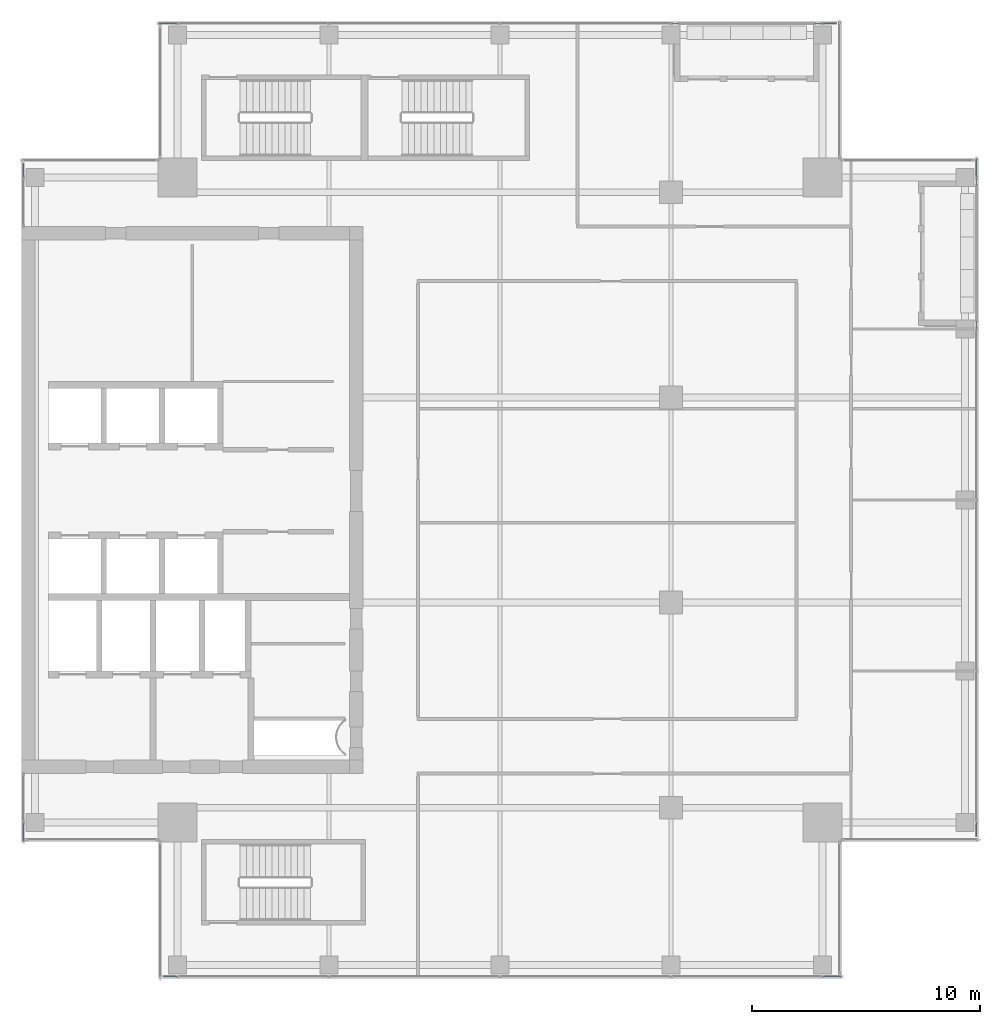
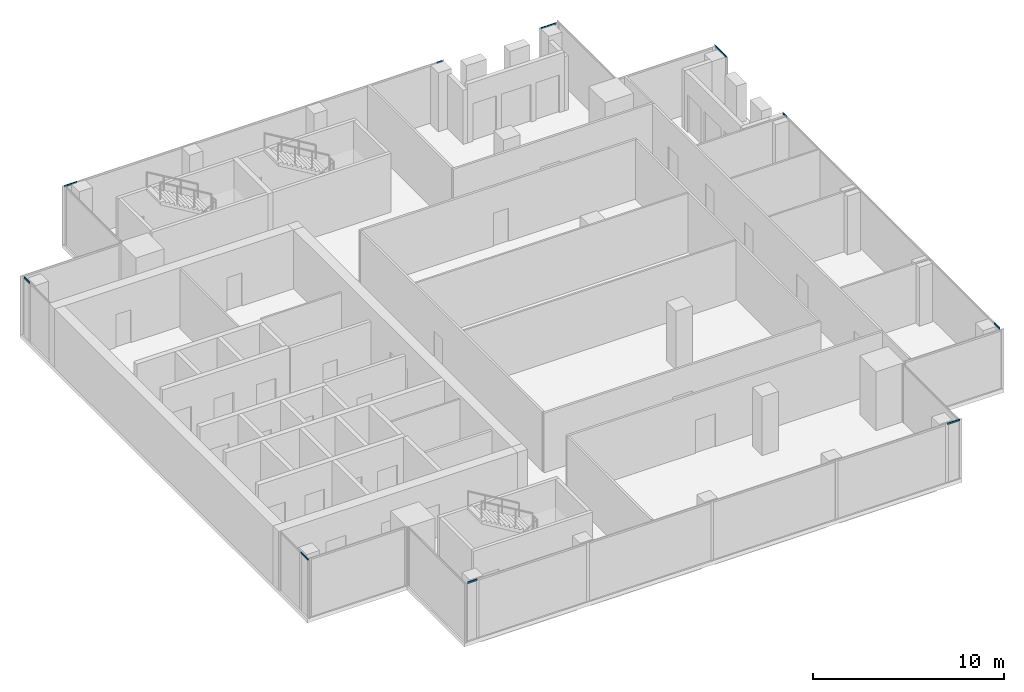
# One storey, part 19 of 29: 12 members, 7 elements without a shape of their own.
"""IFC4 building model written with IfcOpenShell, lengths in metres."""

from ifc_helpers import new_model, si_unit, direction, frame, origin, origin_2d, place, context, subcontext, project, spatial, hollow_rectangle, extrude, source, transform, mapped, material, material_profile, profile_set, type_object, element, aggregate, save


model = new_model("IFC4")

# Units and contexts
model_context = context("Model", 3, precision=1e-05, world=origin(), true_north=direction((0.0, 1.0)))
body_context = subcontext(model_context, "Body", "Model", "MODEL_VIEW")
ifc_project = project(units=[si_unit("LENGTHUNIT", "METRE"), si_unit("AREAUNIT", "SQUARE_METRE"), si_unit("VOLUMEUNIT", "CUBIC_METRE"), si_unit("PLANEANGLEUNIT", "RADIAN"), si_unit("MASSUNIT", "GRAM", prefix="KILO")], contexts=[model_context])

# Site, building, storey
site_placement = place(None, origin())
site = spatial("IfcSite", under=ifc_project, at=site_placement, CompositionType="ELEMENT")
building_placement = place(site_placement, origin())
building = spatial("IfcBuilding", under=site, at=building_placement, Name="Khomas Fold Tower", CompositionType="ELEMENT")
storey_placement = place(building_placement, frame((0.0, 0.0, 314.199951171875)))
storey = spatial("IfcBuildingStorey", under=building, at=storey_placement, Name="L71", CompositionType="ELEMENT", Elevation=314.199951171875)

# Curtain wall, member
ifc_material_1 = material(Name="Aluminium framed double glazing", Category="aluminium")
curtain_wall_type = type_object("IfcCurtainWallType", Name="SK-Unitised clear-glass wall, upper floors CW3", PredefinedType="NOTDEFINED", material=ifc_material_1)
curtain_wall_1_placement = place(storey_placement, origin())
curtain_wall_1 = element("IfcCurtainWall", 1, at=curtain_wall_1_placement, inside=storey, type_object=curtain_wall_type, Name="CW3 run L71 00-0", PredefinedType="NOTDEFINED")
ifc_material_2 = material(Name="Aluminium", Category="aluminium")
ifc_material_profile = material_profile(ifc_material_2, hollow_rectangle(XDim=0.050048828125, YDim=0.10009765625, WallThickness=0.00390625, at=origin_2d()), Name="SK-Unitised clear-glass wall, upper floors transom CW3-T")
ifc_profile_set = profile_set([ifc_material_profile], Name="Aluminium")
member_type = type_object("IfcMemberType", Name="SK-Unitised clear-glass wall, upper floors transom CW3-T", PredefinedType="USERDEFINED", material=ifc_profile_set)
shared_shape_1 = source(origin(), body_context, "Body", "SweptSolid", [
    extrude(hollow_rectangle(XDim=0.050048828125, YDim=0.10009765625, WallThickness=0.00390625, at=origin_2d()), origin(), (0.0, 0.0, 1.0), 0.574951171875),
])
member_1_placement = place(storey_placement, frame((12.25, 6.10009765625, 3.699951171875), z_axis=(1.0, 0.0, 0.0), x_axis=(0.0, 1.0, 0.0)))
member_1 = element("IfcMember", 2, at=member_1_placement, type_object=member_type, Name="CW3 transom 1", ObjectType="TRANSOM", PredefinedType="USERDEFINED", context=body_context, shape_type="MappedRepresentation", body=[
    mapped(shared_shape_1, transform((0.0, 0.0, 0.0))),
])

curtain_wall_2_placement = place(storey_placement, origin())
curtain_wall_2 = element("IfcCurtainWall", 3, at=curtain_wall_2_placement, inside=storey, type_object=curtain_wall_type, Name="CW3 run L71 03-0", PredefinedType="NOTDEFINED")
member_2_placement = place(storey_placement, frame((47.89990234375, 12.25, 3.699951171875), z_axis=(0.0, 1.0, 0.0), x_axis=(-1.0, 0.0, 0.0)))
member_2 = element("IfcMember", 4, at=member_2_placement, type_object=member_type, Name="CW3 transom 1", ObjectType="TRANSOM", PredefinedType="USERDEFINED", context=body_context, shape_type="MappedRepresentation", body=[
    mapped(shared_shape_1, transform((0.0, 0.0, 0.0))),
])

curtain_wall_3_placement = place(storey_placement, origin())
curtain_wall_3 = element("IfcCurtainWall", 5, at=curtain_wall_3_placement, inside=storey, type_object=curtain_wall_type, Name="CW3 run L71 06-0", PredefinedType="NOTDEFINED")
member_3_placement = place(storey_placement, frame((41.75, 47.89990234375, 3.699951171875), z_axis=(-1.0, 0.0, 0.0), x_axis=(0.0, -1.0, 0.0)))
member_3 = element("IfcMember", 6, at=member_3_placement, type_object=member_type, Name="CW3 transom 1", ObjectType="TRANSOM", PredefinedType="USERDEFINED", context=body_context, shape_type="MappedRepresentation", body=[
    mapped(shared_shape_1, transform((0.0, 0.0, 0.0))),
])

curtain_wall_4_placement = place(storey_placement, origin())
curtain_wall_4 = element("IfcCurtainWall", 7, at=curtain_wall_4_placement, inside=storey, type_object=curtain_wall_type, Name="CW3 run L71 09-0", PredefinedType="NOTDEFINED")
member_4_placement = place(storey_placement, frame((6.10009765625, 41.75, 3.699951171875), z_axis=(0.0, -1.0, 0.0), x_axis=(1.0, 0.0, 0.0)))
member_4 = element("IfcMember", 8, at=member_4_placement, type_object=member_type, Name="CW3 transom 1", ObjectType="TRANSOM", PredefinedType="USERDEFINED", context=body_context, shape_type="MappedRepresentation", body=[
    mapped(shared_shape_1, transform((0.0, 0.0, 0.0))),
])
aggregate(curtain_wall_4, [member_4])

# Member
shared_shape_2 = source(origin(), body_context, "Body", "SweptSolid", [
    extrude(hollow_rectangle(XDim=0.050048828125, YDim=0.10009765625, WallThickness=0.00390625, at=origin_2d()), origin(), (0.0, 0.0, 1.0), 0.77490234375),
])
member_5_placement = place(storey_placement, frame((41.175048828125, 6.10009765625, 3.699951171875), z_axis=(1.0, 0.0, 0.0), x_axis=(0.0, 1.0, 0.0)))
member_5 = element("IfcMember", 9, at=member_5_placement, type_object=member_type, Name="CW3 transom 6", ObjectType="TRANSOM", PredefinedType="USERDEFINED", context=body_context, shape_type="MappedRepresentation", body=[
    mapped(shared_shape_2, transform((0.0, 0.0, 0.0))),
])

aggregate(curtain_wall_1, [member_1, member_5])

# Curtain wall, member
curtain_wall_5_placement = place(storey_placement, origin())
curtain_wall_5 = element("IfcCurtainWall", 10, at=curtain_wall_5_placement, inside=storey, type_object=curtain_wall_type, Name="CW3 run L71 03-1", PredefinedType="NOTDEFINED")
member_6_placement = place(storey_placement, frame((47.89990234375, 41.175048828125, 3.699951171875), z_axis=(0.0, 1.0, 0.0), x_axis=(-1.0, 0.0, 0.0)))
member_6 = element("IfcMember", 11, at=member_6_placement, type_object=member_type, Name="CW3 transom 2", ObjectType="TRANSOM", PredefinedType="USERDEFINED", context=body_context, shape_type="MappedRepresentation", body=[
    mapped(shared_shape_2, transform((0.0, 0.0, 0.0))),
])

curtain_wall_6_placement = place(storey_placement, origin())
curtain_wall_6 = element("IfcCurtainWall", 12, at=curtain_wall_6_placement, inside=storey, type_object=curtain_wall_type, Name="CW3 run L71 06-1", PredefinedType="NOTDEFINED")
member_7_placement = place(storey_placement, frame((12.824951171875, 47.89990234375, 3.699951171875), z_axis=(-1.0, 0.0, 0.0), x_axis=(0.0, -1.0, 0.0)))
member_7 = element("IfcMember", 13, at=member_7_placement, type_object=member_type, Name="CW3 transom 5", ObjectType="TRANSOM", PredefinedType="USERDEFINED", context=body_context, shape_type="MappedRepresentation", body=[
    mapped(shared_shape_2, transform((0.0, 0.0, 0.0))),
])

curtain_wall_7_placement = place(storey_placement, origin())
curtain_wall_7 = element("IfcCurtainWall", 14, at=curtain_wall_7_placement, inside=storey, type_object=curtain_wall_type, Name="CW3 run L71 09-1", PredefinedType="NOTDEFINED")
member_8_placement = place(storey_placement, frame((6.10009765625, 12.824951171875, 3.699951171875), z_axis=(0.0, -1.0, 0.0), x_axis=(1.0, 0.0, 0.0)))
member_8 = element("IfcMember", 15, at=member_8_placement, type_object=member_type, Name="CW3 transom 2", ObjectType="TRANSOM", PredefinedType="USERDEFINED", context=body_context, shape_type="MappedRepresentation", body=[
    mapped(shared_shape_2, transform((0.0, 0.0, 0.0))),
])
aggregate(curtain_wall_7, [member_8])

# Member
shared_shape_3 = source(origin(), body_context, "Body", "SweptSolid", [
    extrude(hollow_rectangle(XDim=0.050048828125, YDim=0.10009765625, WallThickness=0.00390625, at=origin_2d()), origin(), (0.0, 0.0, 1.0), 0.3251953125),
])
member_9_placement = place(storey_placement, frame((47.89990234375, 34.52490234375, 3.699951171875), z_axis=(0.0, 1.0, 0.0), x_axis=(-1.0, 0.0, 0.0)))
member_9 = element("IfcMember", 16, at=member_9_placement, type_object=member_type, Name="CW3 transom 5", ObjectType="TRANSOM", PredefinedType="USERDEFINED", context=body_context, shape_type="MappedRepresentation", body=[
    mapped(shared_shape_3, transform((0.0, 0.0, 0.0))),
])

aggregate(curtain_wall_2, [member_2, member_9])

member_10_placement = place(storey_placement, frame((34.85009765625, 47.89990234375, 3.699951171875), z_axis=(-1.0, 0.0, 0.0), x_axis=(0.0, -1.0, 0.0)))
member_10 = element("IfcMember", 17, at=member_10_placement, type_object=member_type, Name="CW3 transom 1", ObjectType="TRANSOM", PredefinedType="USERDEFINED", context=body_context, shape_type="MappedRepresentation", body=[
    mapped(shared_shape_3, transform((0.0, 0.0, 0.0))),
])

aggregate(curtain_wall_6, [member_10, member_7])

shared_shape_4 = source(origin(), body_context, "Body", "SweptSolid", [
    extrude(hollow_rectangle(XDim=0.050048828125, YDim=0.10009765625, WallThickness=0.00390625, at=origin_2d()), origin(), (0.0, 0.0, 1.0), 0.324951171875),
])
member_11_placement = place(storey_placement, frame((47.89990234375, 40.800048828125, 3.699951171875), z_axis=(0.0, 1.0, 0.0), x_axis=(-1.0, 0.0, 0.0)))
member_11 = element("IfcMember", 18, at=member_11_placement, type_object=member_type, Name="CW3 transom 1", ObjectType="TRANSOM", PredefinedType="USERDEFINED", context=body_context, shape_type="MappedRepresentation", body=[
    mapped(shared_shape_4, transform((0.0, 0.0, 0.0))),
])

aggregate(curtain_wall_5, [member_11, member_6])

member_12_placement = place(storey_placement, frame((41.125, 47.89990234375, 3.699951171875), z_axis=(-1.0, 0.0, 0.0), x_axis=(0.0, -1.0, 0.0)))
member_12 = element("IfcMember", 19, at=member_12_placement, type_object=member_type, Name="CW3 transom 2", ObjectType="TRANSOM", PredefinedType="USERDEFINED", context=body_context, shape_type="MappedRepresentation", body=[
    mapped(shared_shape_4, transform((0.0, 0.0, 0.0))),
])

aggregate(curtain_wall_3, [member_3, member_12])

save(model, "model.ifc")
